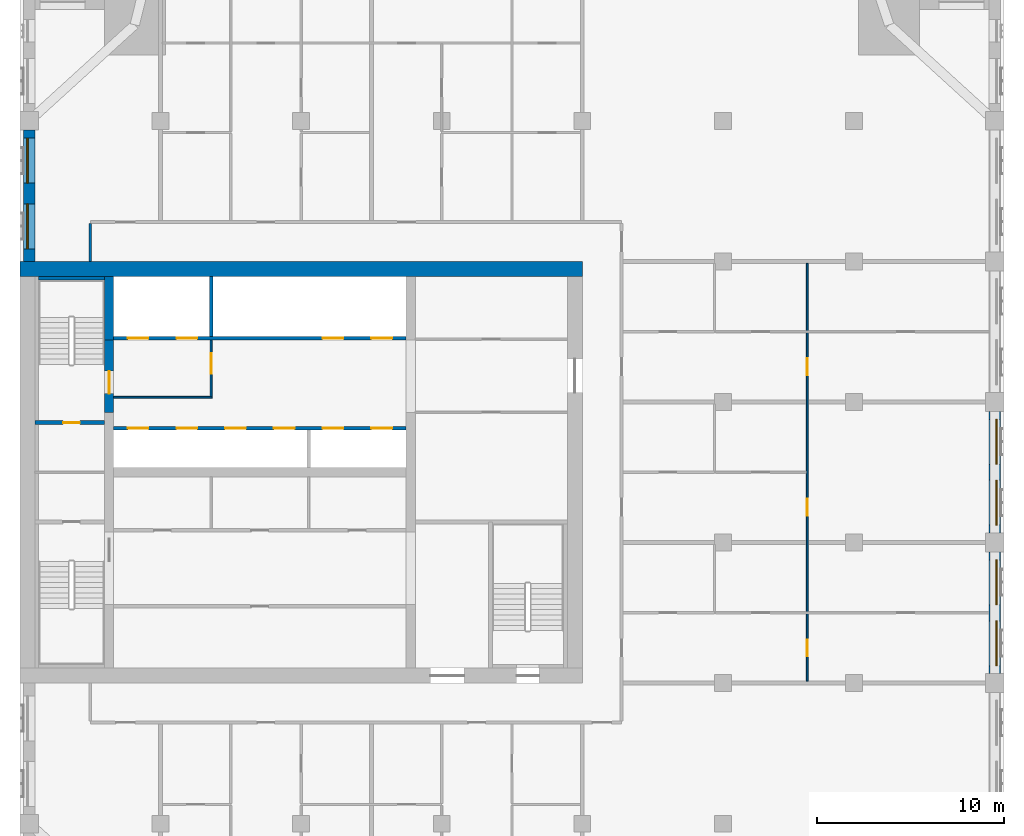
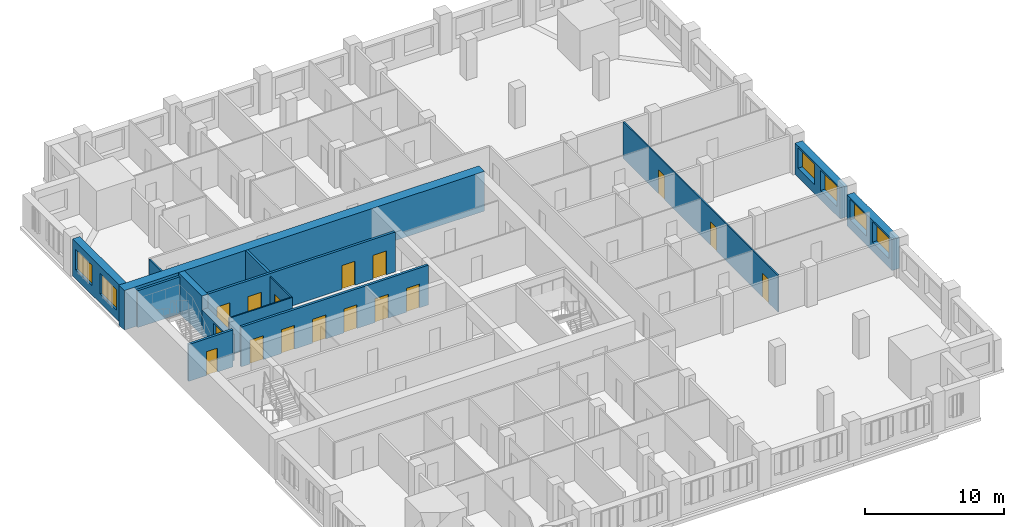
# One storey, part 9 of 14: 16 doors, 15 walls, 6 windows, 22 openings.
"""IFC4 building model written with IfcOpenShell, lengths in metres."""

import ifcopenshell
import ifcopenshell.guid

model = None  # the IFC model being written
_history = None  # IfcOwnerHistory: only IFC2X3 demands one
_inside = {}  # id of a spatial element -> (the spatial element, [elements in it])
_under = {}  # id of a project, library or spatial element -> (it, [spatial elements below it])
_declared = {}  # id of a project -> (the project, [libraries it declares])
_typed = {}  # id of a type object -> (the type object, [elements of that type])
_made_of = {}  # id of a material, layer set ... -> (it, [elements and type objects made of it])


def new_model(schema):
    """Start an empty IFC model of exactly this schema.

    Asked for "IFC4X3", IfcOpenShell would pick the latest addendum, in which some entities
    have other attributes; the version numbers below select the first issue.
    IFC2X3 requires an IfcOwnerHistory on every rooted entity: one is made here for all.
    """
    global model, _history
    if schema == "IFC4X3":
        model = ifcopenshell.file(schema_version=(4, 3, 0, 0))
    else:
        model = ifcopenshell.file(schema=schema)
    _inside.clear()
    _under.clear()
    _declared.clear()
    _typed.clear()
    _made_of.clear()
    _history = None
    if model.schema == "IFC2X3":
        org = make("IfcOrganization", Name="unknown")
        user = make(
            "IfcPersonAndOrganization",
            ThePerson=make("IfcPerson", FamilyName="unknown"),
            TheOrganization=org,
        )
        app = make(
            "IfcApplication",
            ApplicationDeveloper=org,
            Version="unknown",
            ApplicationFullName="unknown",
            ApplicationIdentifier="unknown",
        )
        _history = make(
            "IfcOwnerHistory",
            OwningUser=user,
            OwningApplication=app,
            ChangeAction="ADDED",
            CreationDate=0,
        )
    return model


def make(cls, **values):
    """One entity of the class cls with the attributes given. An attribute that is None is left unset."""
    return model.create_entity(
        cls, **{name: value for name, value in values.items() if value is not None}
    )


def rooted(cls, **values):
    """An entity with a GlobalId (a new one), such as an element, a storey or a relation."""
    return make(cls, GlobalId=ifcopenshell.guid.new(), OwnerHistory=_history, **values)


def si_unit(unit_type, name, prefix=None):
    """IfcSIUnit, for example si_unit("LENGTHUNIT", "METRE", prefix="MILLI")."""
    return make("IfcSIUnit", UnitType=unit_type, Prefix=prefix, Name=name)


def assignment(units):
    """IfcUnitAssignment: the units of a project."""
    return None if units is None else make("IfcUnitAssignment", Units=units)


def point(xyz):
    """IfcCartesianPoint."""
    return None if xyz is None else make("IfcCartesianPoint", Coordinates=xyz)


def direction(xyz):
    """IfcDirection."""
    return None if xyz is None else make("IfcDirection", DirectionRatios=xyz)


def frame(location, z_axis=None, x_axis=None):
    """IfcAxis2Placement3D, a coordinate frame: its origin and axes. An axis left out is left unset."""
    return make(
        "IfcAxis2Placement3D",
        Location=point(location),
        Axis=direction(z_axis),
        RefDirection=direction(x_axis),
    )


def frame_2d(location, x_axis=None):
    """IfcAxis2Placement2D, a coordinate frame in the plane: its origin and x axis."""
    return make(
        "IfcAxis2Placement2D", Location=point(location), RefDirection=direction(x_axis)
    )


def origin():
    """The frame at (0, 0, 0) with its axes left unset."""
    return frame((0.0, 0.0, 0.0))


def place(relative_to, where):
    """IfcLocalPlacement: puts the frame where relative to a parent placement (None: the world)."""
    return make(
        "IfcLocalPlacement", PlacementRelTo=relative_to, RelativePlacement=where
    )


def context(
    kind, dimensions, precision=None, world=None, true_north=None, identifier=None
):
    """IfcGeometricRepresentationContext, for example the 3D "Model" context."""
    return make(
        "IfcGeometricRepresentationContext",
        ContextIdentifier=identifier,
        ContextType=kind,
        CoordinateSpaceDimension=dimensions,
        Precision=precision,
        WorldCoordinateSystem=world,
        TrueNorth=true_north,
    )


def subcontext(parent, identifier, kind, view, scale=None):
    """IfcGeometricRepresentationSubContext, for example "Body" below "Model"."""
    return make(
        "IfcGeometricRepresentationSubContext",
        ContextIdentifier=identifier,
        ContextType=kind,
        ParentContext=parent,
        TargetScale=scale,
        TargetView=view,
    )


def project(units=None, contexts=None):
    """IfcProject with its units and contexts."""
    return rooted(
        "IfcProject",
        Name="project",
        RepresentationContexts=contexts,
        UnitsInContext=assignment(units),
    )


def spatial(cls, under=None, at=None, **own):
    """A site, building, storey or space (cls), placed at a placement, below another one or the project."""
    s = rooted(cls, ObjectPlacement=at, **own)
    if under is not None:
        _under.setdefault(under.id(), (under, []))[1].append(s)
    return s


def profile(cls, at=None, kind="AREA", **sizes):
    """A parametric profile (cls). Its sizes go by their IFC names, for example OverallWidth=200.0."""
    return make(cls, ProfileType=kind, Position=at, **sizes)


def rectangle(**sizes):
    """IfcRectangleProfileDef."""
    return profile("IfcRectangleProfileDef", **sizes)


def extrude(swept, where, along, depth):
    """IfcExtrudedAreaSolid: the profile swept, set in the frame where, extruded along a direction by depth."""
    return make(
        "IfcExtrudedAreaSolid",
        SweptArea=swept,
        Position=where,
        ExtrudedDirection=direction(along),
        Depth=depth,
    )


def shape(context_of_items, identifier, shape_type, items):
    """IfcShapeRepresentation: the items that make up one representation, for example the "Body"."""
    return make(
        "IfcShapeRepresentation",
        ContextOfItems=context_of_items,
        RepresentationIdentifier=identifier,
        RepresentationType=shape_type,
        Items=items,
    )


def material(Name=None, Category=None):
    """IfcMaterial."""
    return make("IfcMaterial", Name=Name, Category=Category)


def layer(
    of_material, thickness, ventilated=None, Name=None, Category=None, Priority=None
):
    """IfcMaterialLayer: one layer of a wall or slab, of a material (None: an air gap)."""
    return make(
        "IfcMaterialLayer",
        Material=of_material,
        LayerThickness=thickness,
        IsVentilated=ventilated,
        Name=Name,
        Category=Category,
        Priority=Priority,
    )


def layer_set(layers, Name=None):
    """IfcMaterialLayerSet."""
    return make("IfcMaterialLayerSet", MaterialLayers=layers, LayerSetName=Name)


def made_of(thing, what):
    """Note that an element or type object is made of a material, layer set ...; save() writes the relation."""
    if what is not None:
        _made_of.setdefault(what.id(), (what, []))[1].append(thing)
    return thing


def type_object(cls, material=None, **own):
    """A type object (cls), such as IfcWallType, which elements share."""
    return made_of(rooted(cls, **own), material)


def element(
    cls,
    number,
    at=None,
    inside=None,
    cuts=None,
    type_object=None,
    material=None,
    context=None,
    identifier="Body",
    shape_type=None,
    held_by="IfcProductDefinitionShape",
    body=None,
    shapes=None,
    **own,
):
    """One element of the class cls, such as IfcWall. Its Tag is "e" and its number.

    at: its placement. inside: the storey or other place that contains it. cuts: it is an
    opening in that element (IfcRelVoidsElement). A single representation is given by context,
    identifier, shape_type and body (its items); several are given by shapes. held_by: the class
    of the entity that holds the representations. save() writes the other relations.
    """
    e = rooted(cls, Tag="e%d" % number, ObjectPlacement=at, **own)
    if body is not None:
        shapes = [shape(context, identifier, shape_type, body)]
    if shapes is not None:
        e.Representation = make(held_by, Representations=shapes)
    if inside is not None:
        _inside.setdefault(inside.id(), (inside, []))[1].append(e)
    if cuts is not None:
        rooted(
            "IfcRelVoidsElement", RelatingBuildingElement=cuts, RelatedOpeningElement=e
        )
    if type_object is not None:
        _typed.setdefault(type_object.id(), (type_object, []))[1].append(e)
    return made_of(e, material)


def fill(opening, filler):
    """IfcRelFillsElement: the door or window that sits in an opening."""
    return rooted(
        "IfcRelFillsElement",
        RelatingOpeningElement=opening,
        RelatedBuildingElement=filler,
    )


def aggregate(whole, parts):
    """IfcRelAggregates: a whole, such as a stair, and the parts it consists of."""
    return rooted("IfcRelAggregates", RelatingObject=whole, RelatedObjects=parts)


def save(model, path):
    """Write the relations noted so far, then the file.

    IfcRelAggregates (storeys below a building ...), IfcRelContainedInSpatialStructure (elements
    in a storey), IfcRelDefinesByType, IfcRelAssociatesMaterial and IfcRelDeclares: one each for
    every whole, place, type object, material and project.
    """
    for whole, parts in _under.values():
        aggregate(whole, parts)
    for where, things in _inside.values():
        rooted(
            "IfcRelContainedInSpatialStructure",
            RelatedElements=things,
            RelatingStructure=where,
        )
    for kind, things in _typed.values():
        rooted("IfcRelDefinesByType", RelatedObjects=things, RelatingType=kind)
    for what, things in _made_of.values():
        rooted("IfcRelAssociatesMaterial", RelatedObjects=things, RelatingMaterial=what)
    for by, libraries in _declared.values():
        rooted("IfcRelDeclares", RelatingContext=by, RelatedDefinitions=libraries)
    model.write(path)


model = new_model("IFC4")

# Units and contexts
model_context = context("Model", 3, precision=1e-05, world=origin(), true_north=direction((0.0, 1.0)))
body_context = subcontext(model_context, "Body", "Model", "MODEL_VIEW")
ifc_project = project(units=[si_unit("LENGTHUNIT", "METRE"), si_unit("AREAUNIT", "SQUARE_METRE"), si_unit("VOLUMEUNIT", "CUBIC_METRE"), si_unit("PLANEANGLEUNIT", "RADIAN"), si_unit("MASSUNIT", "GRAM", prefix="KILO")], contexts=[model_context])

# Site, building, storey
site_placement = place(None, origin())
site = spatial("IfcSite", under=ifc_project, at=site_placement, CompositionType="ELEMENT")
building_placement = place(site_placement, origin())
building = spatial("IfcBuilding", under=site, at=building_placement, Name="Tamorin Gate", CompositionType="ELEMENT")
storey_placement = place(building_placement, frame((0.0, 0.0, 196.699951171875)))
storey = spatial("IfcBuildingStorey", under=building, at=storey_placement, Name="L48", CompositionType="ELEMENT", Elevation=196.699951171875)

# Wall, openings, windows
ifc_material_1 = material(Name="Precast concrete C40/50", Category="concrete")
ifc_layer_1 = layer(ifc_material_1, 0.60009765625)
ifc_layer_set_1 = layer_set([ifc_layer_1], Name="Precast concrete C40/50")
wall_type_1 = type_object("IfcWallType", Name="Board-marked concrete facade panel 600", PredefinedType="SOLIDWALL", material=ifc_layer_set_1)
wall_1_placement = place(storey_placement, frame((82.0, 60.5, 0.0), z_axis=(0.0, 0.0, 1.0), x_axis=(0.0, 1.0, 0.0)))
wall_1 = element("IfcWall", 1, at=wall_1_placement, inside=storey, type_object=wall_type_1, Name="Facade panel", PredefinedType="SOLIDWALL", context=body_context, shape_type="SweptSolid", body=[
    extrude(rectangle(XDim=6.5, YDim=0.60009765625, at=frame_2d((3.25, 0.0))), origin(), (0.0, 0.0, 1.0), 2.75),
])
opening_1_placement = place(wall_1_placement, frame((0.425048828125, 0.0, 0.800048828125)))
opening_1 = element("IfcOpeningElement", 2, at=opening_1_placement, cuts=wall_1, Name="Opening WN1", PredefinedType="OPENING", context=body_context, shape_type="SweptSolid", body=[
    extrude(rectangle(XDim=2.39990234375, YDim=1.800048828125, at=frame_2d((1.199951171875, 0.89990234375))), frame((0.0, 0.31005859375, 0.0), z_axis=(0.0, -1.0, 0.0), x_axis=(1.0, 0.0, 0.0)), (0.0, 0.0, 1.0), 0.6201171875),
])
opening_2_placement = place(wall_1_placement, frame((3.675048828125, 0.0, 0.800048828125)))
opening_2 = element("IfcOpeningElement", 3, at=opening_2_placement, cuts=wall_1, Name="Opening WN1", PredefinedType="OPENING", context=body_context, shape_type="SweptSolid", body=[
    extrude(rectangle(XDim=2.39990234375, YDim=1.800048828125, at=frame_2d((1.199951171875, 0.89990234375))), frame((0.0, 0.31005859375, 0.0), z_axis=(0.0, -1.0, 0.0), x_axis=(1.0, 0.0, 0.0)), (0.0, 0.0, 1.0), 0.6201171875),
])
ifc_material_2 = material(Name="Clear glass in aluminium frame", Category="aluminium")
window_type = type_object("IfcWindowType", Name="Deep-set window 2400x1800", PartitioningType="SINGLE_PANEL", PredefinedType="WINDOW", material=ifc_material_2)
window_1_placement = place(opening_1_placement, origin())
window_1 = element("IfcWindow", 4, at=window_1_placement, inside=storey, type_object=window_type, Name="Deep-set window", OverallHeight=1.800048828125, OverallWidth=2.39990234375, PartitioningType="SINGLE_PANEL", PredefinedType="WINDOW", context=body_context, shape_type="SweptSolid", body=[
    extrude(rectangle(XDim=2.39990234375, YDim=1.800048828125, at=frame_2d((1.199951171875, 0.89990234375))), frame((0.0, -0.070068359375, 0.0), z_axis=(0.0, -1.0, 0.0), x_axis=(1.0, 0.0, 0.0)), (0.0, 0.0, 1.0), 0.06005859375),
])
fill(opening_1, window_1)
window_2_placement = place(opening_2_placement, origin())
window_2 = element("IfcWindow", 5, at=window_2_placement, inside=storey, type_object=window_type, Name="Deep-set window", OverallHeight=1.800048828125, OverallWidth=2.39990234375, PartitioningType="SINGLE_PANEL", PredefinedType="WINDOW", context=body_context, shape_type="SweptSolid", body=[
    extrude(rectangle(XDim=2.39990234375, YDim=1.800048828125, at=frame_2d((1.199951171875, 0.89990234375))), frame((0.0, -0.070068359375, 0.0), z_axis=(0.0, -1.0, 0.0), x_axis=(1.0, 0.0, 0.0)), (0.0, 0.0, 1.0), 0.06005859375),
])
fill(opening_2, window_2)

wall_2_placement = place(storey_placement, frame((82.0, 68.0, 0.0), z_axis=(0.0, 0.0, 1.0), x_axis=(0.0, 1.0, 0.0)))
wall_2 = element("IfcWall", 6, at=wall_2_placement, inside=storey, type_object=wall_type_1, Name="Facade panel", PredefinedType="SOLIDWALL", context=body_context, shape_type="SweptSolid", body=[
    extrude(rectangle(XDim=6.5, YDim=0.60009765625, at=frame_2d((3.25, 0.0))), origin(), (0.0, 0.0, 1.0), 2.75),
])
opening_3_placement = place(wall_2_placement, frame((0.425048828125, 0.0, 0.800048828125)))
opening_3 = element("IfcOpeningElement", 7, at=opening_3_placement, cuts=wall_2, Name="Opening WN1", PredefinedType="OPENING", context=body_context, shape_type="SweptSolid", body=[
    extrude(rectangle(XDim=2.39990234375, YDim=1.800048828125, at=frame_2d((1.199951171875, 0.89990234375))), frame((0.0, 0.31005859375, 0.0), z_axis=(0.0, -1.0, 0.0), x_axis=(1.0, 0.0, 0.0)), (0.0, 0.0, 1.0), 0.6201171875),
])
opening_4_placement = place(wall_2_placement, frame((3.675048828125, 0.0, 0.800048828125)))
opening_4 = element("IfcOpeningElement", 8, at=opening_4_placement, cuts=wall_2, Name="Opening WN1", PredefinedType="OPENING", context=body_context, shape_type="SweptSolid", body=[
    extrude(rectangle(XDim=2.39990234375, YDim=1.800048828125, at=frame_2d((1.199951171875, 0.89990234375))), frame((0.0, 0.31005859375, 0.0), z_axis=(0.0, -1.0, 0.0), x_axis=(1.0, 0.0, 0.0)), (0.0, 0.0, 1.0), 0.6201171875),
])
window_3_placement = place(opening_3_placement, origin())
window_3 = element("IfcWindow", 9, at=window_3_placement, inside=storey, type_object=window_type, Name="Deep-set window", OverallHeight=1.800048828125, OverallWidth=2.39990234375, PartitioningType="SINGLE_PANEL", PredefinedType="WINDOW", context=body_context, shape_type="SweptSolid", body=[
    extrude(rectangle(XDim=2.39990234375, YDim=1.800048828125, at=frame_2d((1.199951171875, 0.89990234375))), frame((0.0, -0.070068359375, 0.0), z_axis=(0.0, -1.0, 0.0), x_axis=(1.0, 0.0, 0.0)), (0.0, 0.0, 1.0), 0.06005859375),
])
fill(opening_3, window_3)
window_4_placement = place(opening_4_placement, origin())
window_4 = element("IfcWindow", 10, at=window_4_placement, inside=storey, type_object=window_type, Name="Deep-set window", OverallHeight=1.800048828125, OverallWidth=2.39990234375, PartitioningType="SINGLE_PANEL", PredefinedType="WINDOW", context=body_context, shape_type="SweptSolid", body=[
    extrude(rectangle(XDim=2.39990234375, YDim=1.800048828125, at=frame_2d((1.199951171875, 0.89990234375))), frame((0.0, -0.070068359375, 0.0), z_axis=(0.0, -1.0, 0.0), x_axis=(1.0, 0.0, 0.0)), (0.0, 0.0, 1.0), 0.06005859375),
])
fill(opening_4, window_4)

wall_3_placement = place(storey_placement, frame((30.5, 89.5, 0.0), z_axis=(0.0, 0.0, 1.0), x_axis=(0.0, -1.0, 0.0)))
wall_3 = element("IfcWall", 11, at=wall_3_placement, inside=storey, type_object=wall_type_1, Name="Facade panel", PredefinedType="SOLIDWALL", context=body_context, shape_type="SweptSolid", body=[
    extrude(rectangle(XDim=7.0, YDim=0.60009765625, at=frame_2d((3.5, 0.0))), origin(), (0.0, 0.0, 1.0), 3.25),
])
opening_5_placement = place(wall_3_placement, frame((3.925048828125, 0.0, 0.800048828125)))
opening_5 = element("IfcOpeningElement", 12, at=opening_5_placement, cuts=wall_3, Name="Opening WN1", PredefinedType="OPENING", context=body_context, shape_type="SweptSolid", body=[
    extrude(rectangle(XDim=2.39990234375, YDim=1.800048828125, at=frame_2d((1.199951171875, 0.89990234375))), frame((0.0, 0.31005859375, 0.0), z_axis=(0.0, -1.0, 0.0), x_axis=(1.0, 0.0, 0.0)), (0.0, 0.0, 1.0), 0.6201171875),
])
opening_6_placement = place(wall_3_placement, frame((0.425048828125, 0.0, 0.800048828125)))
opening_6 = element("IfcOpeningElement", 13, at=opening_6_placement, cuts=wall_3, Name="Opening WN1", PredefinedType="OPENING", context=body_context, shape_type="SweptSolid", body=[
    extrude(rectangle(XDim=2.39990234375, YDim=1.800048828125, at=frame_2d((1.199951171875, 0.89990234375))), frame((0.0, 0.31005859375, 0.0), z_axis=(0.0, -1.0, 0.0), x_axis=(1.0, 0.0, 0.0)), (0.0, 0.0, 1.0), 0.6201171875),
])
window_5_placement = place(opening_5_placement, origin())
window_5 = element("IfcWindow", 14, at=window_5_placement, inside=storey, type_object=window_type, Name="Deep-set window", OverallHeight=1.800048828125, OverallWidth=2.39990234375, PartitioningType="SINGLE_PANEL", PredefinedType="WINDOW", context=body_context, shape_type="SweptSolid", body=[
    extrude(rectangle(XDim=2.39990234375, YDim=1.800048828125, at=frame_2d((1.199951171875, 0.89990234375))), frame((0.0, -0.070068359375, 0.0), z_axis=(0.0, -1.0, 0.0), x_axis=(1.0, 0.0, 0.0)), (0.0, 0.0, 1.0), 0.06005859375),
])
fill(opening_5, window_5)
window_6_placement = place(opening_6_placement, origin())
window_6 = element("IfcWindow", 15, at=window_6_placement, inside=storey, type_object=window_type, Name="Deep-set window", OverallHeight=1.800048828125, OverallWidth=2.39990234375, PartitioningType="SINGLE_PANEL", PredefinedType="WINDOW", context=body_context, shape_type="SweptSolid", body=[
    extrude(rectangle(XDim=2.39990234375, YDim=1.800048828125, at=frame_2d((1.199951171875, 0.89990234375))), frame((0.0, -0.070068359375, 0.0), z_axis=(0.0, -1.0, 0.0), x_axis=(1.0, 0.0, 0.0)), (0.0, 0.0, 1.0), 0.06005859375),
])
fill(opening_6, window_6)

# Wall
ifc_material_3 = material(Name="Gypsum board partition")
ifc_layer_2 = layer(ifc_material_3, 0.14990234375)
ifc_layer_set_2 = layer_set([ifc_layer_2], Name="Corridor wall 150")
wall_type_2 = type_object("IfcWallType", Name="Corridor wall 150", PredefinedType="PARTITIONING", material=ifc_layer_set_2)
wall_4_placement = place(storey_placement, frame((33.75, 82.5, 0.0), z_axis=(0.0, 0.0, 1.0), x_axis=(0.0, 1.0, 0.0)))
element("IfcWall", 16, at=wall_4_placement, inside=storey, type_object=wall_type_2, Name="Corridor wall 150", PredefinedType="PARTITIONING", context=body_context, shape_type="SweptSolid", body=[
    extrude(rectangle(XDim=2.02490234375, YDim=0.14990234375, at=frame_2d((1.012451171875, 0.0))), origin(), (0.0, 0.0, 1.0), 3.25),
])

# Wall, openings, doors
ifc_material_4 = material(Name="Concrete C32/40", Category="concrete")
ifc_layer_3 = layer(ifc_material_4, 0.199951171875)
ifc_layer_set_3 = layer_set([ifc_layer_3], Name="Lift lobby face wall 200 EI 120")
wall_type_3 = type_object("IfcWallType", Name="Lift lobby face wall 200 EI 120", PredefinedType="SOLIDWALL", material=ifc_layer_set_3)
wall_5_placement = place(storey_placement, frame((35.0, 73.60009765625, 0.0), z_axis=(0.0, 0.0, 1.0), x_axis=(1.0, 0.0, 0.0)))
wall_5 = element("IfcWall", 17, at=wall_5_placement, inside=storey, type_object=wall_type_3, Name="Lift lobby face wall", PredefinedType="SOLIDWALL", context=body_context, shape_type="SweptSolid", body=[
    extrude(rectangle(XDim=15.60009765625, YDim=0.199951171875, at=frame_2d((7.800048828125, 0.0))), origin(), (0.0, 0.0, 1.0), 3.5),
])
opening_7_placement = place(wall_5_placement, frame((0.75, 0.0, 0.0)))
opening_7 = element("IfcOpeningElement", 18, at=opening_7_placement, cuts=wall_5, Name="Opening LD11", PredefinedType="OPENING", context=body_context, shape_type="SweptSolid", body=[
    extrude(rectangle(XDim=1.10009765625, YDim=2.10009765625, at=frame_2d((0.550048828125, 1.050048828125))), frame((0.0, 0.10986328125, 0.0), z_axis=(0.0, -1.0, 0.0), x_axis=(1.0, 0.0, 0.0)), (0.0, 0.0, 1.0), 0.219970703125),
])
opening_8_placement = place(wall_5_placement, frame((3.35009765625, 0.0, 0.0)))
opening_8 = element("IfcOpeningElement", 19, at=opening_8_placement, cuts=wall_5, Name="Opening LD12", PredefinedType="OPENING", context=body_context, shape_type="SweptSolid", body=[
    extrude(rectangle(XDim=1.10009765625, YDim=2.10009765625, at=frame_2d((0.550048828125, 1.050048828125))), frame((0.0, 0.10986328125, 0.0), z_axis=(0.0, -1.0, 0.0), x_axis=(1.0, 0.0, 0.0)), (0.0, 0.0, 1.0), 0.219970703125),
])
opening_9_placement = place(wall_5_placement, frame((5.949951171875, 0.0, 0.0)))
opening_9 = element("IfcOpeningElement", 20, at=opening_9_placement, cuts=wall_5, Name="Opening LD13", PredefinedType="OPENING", context=body_context, shape_type="SweptSolid", body=[
    extrude(rectangle(XDim=1.10009765625, YDim=2.10009765625, at=frame_2d((0.550048828125, 1.050048828125))), frame((0.0, 0.10986328125, 0.0), z_axis=(0.0, -1.0, 0.0), x_axis=(1.0, 0.0, 0.0)), (0.0, 0.0, 1.0), 0.219970703125),
])
opening_10_placement = place(wall_5_placement, frame((8.550048828125, 0.0, 0.0)))
opening_10 = element("IfcOpeningElement", 21, at=opening_10_placement, cuts=wall_5, Name="Opening LD14", PredefinedType="OPENING", context=body_context, shape_type="SweptSolid", body=[
    extrude(rectangle(XDim=1.10009765625, YDim=2.10009765625, at=frame_2d((0.550048828125, 1.050048828125))), frame((0.0, 0.10986328125, 0.0), z_axis=(0.0, -1.0, 0.0), x_axis=(1.0, 0.0, 0.0)), (0.0, 0.0, 1.0), 0.219970703125),
])
opening_11_placement = place(wall_5_placement, frame((11.14990234375, 0.0, 0.0)))
opening_11 = element("IfcOpeningElement", 22, at=opening_11_placement, cuts=wall_5, Name="Opening LD15", PredefinedType="OPENING", context=body_context, shape_type="SweptSolid", body=[
    extrude(rectangle(XDim=1.10009765625, YDim=2.10009765625, at=frame_2d((0.550048828125, 1.050048828125))), frame((0.0, 0.10986328125, 0.0), z_axis=(0.0, -1.0, 0.0), x_axis=(1.0, 0.0, 0.0)), (0.0, 0.0, 1.0), 0.219970703125),
])
opening_12_placement = place(wall_5_placement, frame((13.75, 0.0, 0.0)))
opening_12 = element("IfcOpeningElement", 23, at=opening_12_placement, cuts=wall_5, Name="Opening LD16", PredefinedType="OPENING", context=body_context, shape_type="SweptSolid", body=[
    extrude(rectangle(XDim=1.10009765625, YDim=2.10009765625, at=frame_2d((0.550048828125, 1.050048828125))), frame((0.0, 0.10986328125, 0.0), z_axis=(0.0, -1.0, 0.0), x_axis=(1.0, 0.0, 0.0)), (0.0, 0.0, 1.0), 0.219970703125),
])
ifc_material_5 = material(Name="Stainless steel sliding door", Category="steel")
door_type_1 = type_object("IfcDoorType", Name="Lift landing door 1100 x 2100 E 90", OperationType="DOUBLE_DOOR_SLIDING", PredefinedType="DOOR", material=ifc_material_5)
door_1_placement = place(opening_7_placement, origin())
door_1 = element("IfcDoor", 24, at=door_1_placement, inside=storey, type_object=door_type_1, Name="HR1 landing door", OperationType="DOUBLE_DOOR_SLIDING", OverallHeight=2.10009765625, OverallWidth=1.10009765625, PredefinedType="DOOR", context=body_context, shape_type="SweptSolid", body=[
    extrude(rectangle(XDim=1.10009765625, YDim=2.10009765625, at=frame_2d((0.550048828125, 1.050048828125))), frame((0.0, 0.02490234375, 0.0), z_axis=(0.0, -1.0, 0.0), x_axis=(1.0, 0.0, 0.0)), (0.0, 0.0, 1.0), 0.050048828125),
])
fill(opening_7, door_1)
door_2_placement = place(opening_8_placement, origin())
door_2 = element("IfcDoor", 25, at=door_2_placement, inside=storey, type_object=door_type_1, Name="HR2 landing door", OperationType="DOUBLE_DOOR_SLIDING", OverallHeight=2.10009765625, OverallWidth=1.10009765625, PredefinedType="DOOR", context=body_context, shape_type="SweptSolid", body=[
    extrude(rectangle(XDim=1.10009765625, YDim=2.10009765625, at=frame_2d((0.550048828125, 1.050048828125))), frame((0.0, 0.02490234375, 0.0), z_axis=(0.0, -1.0, 0.0), x_axis=(1.0, 0.0, 0.0)), (0.0, 0.0, 1.0), 0.050048828125),
])
fill(opening_8, door_2)
door_3_placement = place(opening_9_placement, origin())
door_3 = element("IfcDoor", 26, at=door_3_placement, inside=storey, type_object=door_type_1, Name="HR3 landing door", OperationType="DOUBLE_DOOR_SLIDING", OverallHeight=2.10009765625, OverallWidth=1.10009765625, PredefinedType="DOOR", context=body_context, shape_type="SweptSolid", body=[
    extrude(rectangle(XDim=1.10009765625, YDim=2.10009765625, at=frame_2d((0.550048828125, 1.050048828125))), frame((0.0, 0.02490234375, 0.0), z_axis=(0.0, -1.0, 0.0), x_axis=(1.0, 0.0, 0.0)), (0.0, 0.0, 1.0), 0.050048828125),
])
fill(opening_9, door_3)
door_4_placement = place(opening_10_placement, origin())
door_4 = element("IfcDoor", 27, at=door_4_placement, inside=storey, type_object=door_type_1, Name="HR4 landing door", OperationType="DOUBLE_DOOR_SLIDING", OverallHeight=2.10009765625, OverallWidth=1.10009765625, PredefinedType="DOOR", context=body_context, shape_type="SweptSolid", body=[
    extrude(rectangle(XDim=1.10009765625, YDim=2.10009765625, at=frame_2d((0.550048828125, 1.050048828125))), frame((0.0, 0.02490234375, 0.0), z_axis=(0.0, -1.0, 0.0), x_axis=(1.0, 0.0, 0.0)), (0.0, 0.0, 1.0), 0.050048828125),
])
fill(opening_10, door_4)
door_5_placement = place(opening_11_placement, origin())
door_5 = element("IfcDoor", 28, at=door_5_placement, inside=storey, type_object=door_type_1, Name="HR5 landing door", OperationType="DOUBLE_DOOR_SLIDING", OverallHeight=2.10009765625, OverallWidth=1.10009765625, PredefinedType="DOOR", context=body_context, shape_type="SweptSolid", body=[
    extrude(rectangle(XDim=1.10009765625, YDim=2.10009765625, at=frame_2d((0.550048828125, 1.050048828125))), frame((0.0, 0.02490234375, 0.0), z_axis=(0.0, -1.0, 0.0), x_axis=(1.0, 0.0, 0.0)), (0.0, 0.0, 1.0), 0.050048828125),
])
fill(opening_11, door_5)
door_6_placement = place(opening_12_placement, origin())
door_6 = element("IfcDoor", 29, at=door_6_placement, inside=storey, type_object=door_type_1, Name="HR6 landing door", OperationType="DOUBLE_DOOR_SLIDING", OverallHeight=2.10009765625, OverallWidth=1.10009765625, PredefinedType="DOOR", context=body_context, shape_type="SweptSolid", body=[
    extrude(rectangle(XDim=1.10009765625, YDim=2.10009765625, at=frame_2d((0.550048828125, 1.050048828125))), frame((0.0, 0.02490234375, 0.0), z_axis=(0.0, -1.0, 0.0), x_axis=(1.0, 0.0, 0.0)), (0.0, 0.0, 1.0), 0.050048828125),
])
fill(opening_12, door_6)

wall_6_placement = place(storey_placement, frame((35.0, 78.39990234375, 0.0), z_axis=(0.0, 0.0, 1.0), x_axis=(1.0, 0.0, 0.0)))
wall_6 = element("IfcWall", 30, at=wall_6_placement, inside=storey, type_object=wall_type_3, Name="Lift lobby face wall", PredefinedType="SOLIDWALL", context=body_context, shape_type="SweptSolid", body=[
    extrude(rectangle(XDim=15.60009765625, YDim=0.199951171875, at=frame_2d((7.800048828125, 0.0))), origin(), (0.0, 0.0, 1.0), 3.5),
])
opening_13_placement = place(wall_6_placement, frame((0.75, 0.0, 0.0)))
opening_13 = element("IfcOpeningElement", 31, at=opening_13_placement, cuts=wall_6, Name="Opening LD17", PredefinedType="OPENING", context=body_context, shape_type="SweptSolid", body=[
    extrude(rectangle(XDim=1.10009765625, YDim=2.10009765625, at=frame_2d((0.550048828125, 1.050048828125))), frame((0.0, 0.10986328125, 0.0), z_axis=(0.0, -1.0, 0.0), x_axis=(1.0, 0.0, 0.0)), (0.0, 0.0, 1.0), 0.219970703125),
])
opening_14_placement = place(wall_6_placement, frame((3.35009765625, 0.0, 0.0)))
opening_14 = element("IfcOpeningElement", 32, at=opening_14_placement, cuts=wall_6, Name="Opening LD18", PredefinedType="OPENING", context=body_context, shape_type="SweptSolid", body=[
    extrude(rectangle(XDim=1.10009765625, YDim=2.10009765625, at=frame_2d((0.550048828125, 1.050048828125))), frame((0.0, 0.10986328125, 0.0), z_axis=(0.0, -1.0, 0.0), x_axis=(1.0, 0.0, 0.0)), (0.0, 0.0, 1.0), 0.219970703125),
])
opening_15_placement = place(wall_6_placement, frame((11.14990234375, 0.0, 0.0)))
opening_15 = element("IfcOpeningElement", 33, at=opening_15_placement, cuts=wall_6, Name="Opening LD21", PredefinedType="OPENING", context=body_context, shape_type="SweptSolid", body=[
    extrude(rectangle(XDim=1.10009765625, YDim=2.10009765625, at=frame_2d((0.550048828125, 1.050048828125))), frame((0.0, 0.10986328125, 0.0), z_axis=(0.0, -1.0, 0.0), x_axis=(1.0, 0.0, 0.0)), (0.0, 0.0, 1.0), 0.219970703125),
])
opening_16_placement = place(wall_6_placement, frame((13.75, 0.0, 0.0)))
opening_16 = element("IfcOpeningElement", 34, at=opening_16_placement, cuts=wall_6, Name="Opening LD22", PredefinedType="OPENING", context=body_context, shape_type="SweptSolid", body=[
    extrude(rectangle(XDim=1.10009765625, YDim=2.10009765625, at=frame_2d((0.550048828125, 1.050048828125))), frame((0.0, 0.10986328125, 0.0), z_axis=(0.0, -1.0, 0.0), x_axis=(1.0, 0.0, 0.0)), (0.0, 0.0, 1.0), 0.219970703125),
])
door_7_placement = place(opening_13_placement, origin())
door_7 = element("IfcDoor", 35, at=door_7_placement, inside=storey, type_object=door_type_1, Name="FF1 landing door", OperationType="DOUBLE_DOOR_SLIDING", OverallHeight=2.10009765625, OverallWidth=1.10009765625, PredefinedType="DOOR", context=body_context, shape_type="SweptSolid", body=[
    extrude(rectangle(XDim=1.10009765625, YDim=2.10009765625, at=frame_2d((0.550048828125, 1.050048828125))), frame((0.0, 0.02490234375, 0.0), z_axis=(0.0, -1.0, 0.0), x_axis=(1.0, 0.0, 0.0)), (0.0, 0.0, 1.0), 0.050048828125),
])
fill(opening_13, door_7)
door_8_placement = place(opening_14_placement, origin())
door_8 = element("IfcDoor", 36, at=door_8_placement, inside=storey, type_object=door_type_1, Name="FF2 landing door", OperationType="DOUBLE_DOOR_SLIDING", OverallHeight=2.10009765625, OverallWidth=1.10009765625, PredefinedType="DOOR", context=body_context, shape_type="SweptSolid", body=[
    extrude(rectangle(XDim=1.10009765625, YDim=2.10009765625, at=frame_2d((0.550048828125, 1.050048828125))), frame((0.0, 0.02490234375, 0.0), z_axis=(0.0, -1.0, 0.0), x_axis=(1.0, 0.0, 0.0)), (0.0, 0.0, 1.0), 0.050048828125),
])
fill(opening_14, door_8)
door_9_placement = place(opening_15_placement, origin())
door_9 = element("IfcDoor", 37, at=door_9_placement, inside=storey, type_object=door_type_1, Name="SV1 landing door", OperationType="DOUBLE_DOOR_SLIDING", OverallHeight=2.10009765625, OverallWidth=1.10009765625, PredefinedType="DOOR", context=body_context, shape_type="SweptSolid", body=[
    extrude(rectangle(XDim=1.10009765625, YDim=2.10009765625, at=frame_2d((0.550048828125, 1.050048828125))), frame((0.0, 0.02490234375, 0.0), z_axis=(0.0, -1.0, 0.0), x_axis=(1.0, 0.0, 0.0)), (0.0, 0.0, 1.0), 0.050048828125),
])
fill(opening_15, door_9)
door_10_placement = place(opening_16_placement, origin())
door_10 = element("IfcDoor", 38, at=door_10_placement, inside=storey, type_object=door_type_1, Name="SV2 landing door", OperationType="DOUBLE_DOOR_SLIDING", OverallHeight=2.10009765625, OverallWidth=1.10009765625, PredefinedType="DOOR", context=body_context, shape_type="SweptSolid", body=[
    extrude(rectangle(XDim=1.10009765625, YDim=2.10009765625, at=frame_2d((0.550048828125, 1.050048828125))), frame((0.0, 0.02490234375, 0.0), z_axis=(0.0, -1.0, 0.0), x_axis=(1.0, 0.0, 0.0)), (0.0, 0.0, 1.0), 0.050048828125),
])
fill(opening_16, door_10)

# Walls
ifc_layer_4 = layer(ifc_material_4, 0.199951171875)
ifc_layer_set_4 = layer_set([ifc_layer_4], Name="Lift shaft wall 200 EI 120")
wall_type_4 = type_object("IfcWallType", Name="Lift shaft wall 200 EI 120", PredefinedType="SOLIDWALL", material=ifc_layer_set_4)
wall_7_placement = place(storey_placement, frame((40.199951171875, 78.5, 0.0), z_axis=(0.0, 0.0, 1.0), x_axis=(0.0, 1.0, 0.0)))
element("IfcWall", 39, at=wall_7_placement, inside=storey, type_object=wall_type_4, Name="Lift shaft wall", PredefinedType="SOLIDWALL", context=body_context, shape_type="SweptSolid", body=[
    extrude(rectangle(XDim=3.199951171875, YDim=0.199951171875, at=frame_2d((1.60009765625, 0.0))), origin(), (0.0, 0.0, 1.0), 3.5),
])
ifc_material_6 = material(Name="Fire-rated gypsum board partition")
ifc_layer_5 = layer(ifc_material_6, 0.10009765625)
ifc_layer_set_5 = layer_set([ifc_layer_5], Name="Lobby wall 100 EI 60")
wall_type_5 = type_object("IfcWallType", Name="Lobby wall 100 EI 60", PredefinedType="PARTITIONING", material=ifc_layer_set_5)
wall_8_placement = place(storey_placement, frame((35.0, 75.25, 0.0), z_axis=(0.0, 0.0, 1.0), x_axis=(1.0, 0.0, 0.0)))
element("IfcWall", 40, at=wall_8_placement, inside=storey, type_object=wall_type_5, Name="Firefighting lobby wall", PredefinedType="PARTITIONING", context=body_context, shape_type="SweptSolid", body=[
    extrude(rectangle(XDim=5.25, YDim=0.10009765625, at=frame_2d((2.625, 0.0))), origin(), (0.0, 0.0, 1.0), 3.25),
])

# Wall, opening, door
wall_9_placement = place(storey_placement, frame((40.199951171875, 75.300048828125, 0.0), z_axis=(0.0, 0.0, 1.0), x_axis=(0.0, 1.0, 0.0)))
wall_9 = element("IfcWall", 41, at=wall_9_placement, inside=storey, type_object=wall_type_5, Name="Firefighting lobby wall", PredefinedType="PARTITIONING", context=body_context, shape_type="SweptSolid", body=[
    extrude(rectangle(XDim=3.0, YDim=0.10009765625, at=frame_2d((1.5, 0.0))), origin(), (0.0, 0.0, 1.0), 3.25),
])
opening_17_placement = place(wall_9_placement, frame((1.199951171875, 0.0, 0.0)))
opening_17 = element("IfcOpeningElement", 42, at=opening_17_placement, cuts=wall_9, Name="Opening DF1", PredefinedType="OPENING", context=body_context, shape_type="SweptSolid", body=[
    extrude(rectangle(XDim=1.10009765625, YDim=2.10009765625, at=frame_2d((0.550048828125, 1.050048828125))), frame((0.0, 0.06005859375, 0.0), z_axis=(0.0, -1.0, 0.0), x_axis=(1.0, 0.0, 0.0)), (0.0, 0.0, 1.0), 0.1201171875),
])
ifc_material_7 = material(Name="Steel fire door", Category="steel")
door_type_2 = type_object("IfcDoorType", Name="Firefighting lobby door 1100 x 2100 EI 90", OperationType="SINGLE_SWING_LEFT", PredefinedType="DOOR", material=ifc_material_7)
door_11_placement = place(opening_17_placement, origin())
door_11 = element("IfcDoor", 43, at=door_11_placement, inside=storey, type_object=door_type_2, Name="Firefighting lobby door", OperationType="SINGLE_SWING_LEFT", OverallHeight=2.10009765625, OverallWidth=1.10009765625, PredefinedType="DOOR", context=body_context, shape_type="SweptSolid", body=[
    extrude(rectangle(XDim=1.10009765625, YDim=2.10009765625, at=frame_2d((0.550048828125, 1.050048828125))), frame((0.0, 0.02490234375, 0.0), z_axis=(0.0, -1.0, 0.0), x_axis=(1.0, 0.0, 0.0)), (0.0, 0.0, 1.0), 0.050048828125),
])
fill(opening_17, door_11)

# Walls
ifc_material_8 = material(Name="Concrete C60/75", Category="concrete")
ifc_layer_6 = layer(ifc_material_8, 0.5)
ifc_layer_set_6 = layer_set([ifc_layer_6], Name="RC core internal wall 500 C60/75")
wall_type_6 = type_object("IfcWallType", Name="RC core internal wall 500 C60/75", PredefinedType="SHEAR", material=ifc_layer_set_6)
wall_10_placement = place(storey_placement, frame((34.75, 78.300048828125, 0.0), z_axis=(0.0, 0.0, 1.0), x_axis=(0.0, 1.0, 0.0)))
element("IfcWall", 44, at=wall_10_placement, inside=storey, type_object=wall_type_6, Name="Core cross wall L48", PredefinedType="SHEAR", context=body_context, shape_type="SweptSolid", body=[
    extrude(rectangle(XDim=3.39990234375, YDim=0.5, at=frame_2d((1.699951171875, 0.0))), origin(), (0.0, 0.0, 1.0), 3.5),
])
ifc_layer_7 = layer(ifc_material_8, 0.800048828125)
ifc_layer_set_7 = layer_set([ifc_layer_7], Name="RC core wall 800 C60/75")
wall_type_7 = type_object("IfcWallType", Name="RC core wall 800 C60/75", PredefinedType="SHEAR", material=ifc_layer_set_7)
wall_11_placement = place(storey_placement, frame((30.0, 82.10009765625, 0.0), z_axis=(0.0, 0.0, 1.0), x_axis=(1.0, 0.0, 0.0)))
element("IfcWall", 45, at=wall_11_placement, inside=storey, type_object=wall_type_7, Name="Core wall L48", PredefinedType="SHEAR", context=body_context, shape_type="SweptSolid", body=[
    extrude(rectangle(XDim=30.0, YDim=0.800048828125, at=frame_2d((15.0, 0.0))), origin(), (0.0, 0.0, 1.0), 3.5),
])

# Wall, openings, doors
ifc_layer_8 = layer(ifc_material_3, 0.10009765625)
ifc_layer_set_8 = layer_set([ifc_layer_8], Name="Room partition 100")
wall_type_8 = type_object("IfcWallType", Name="Room partition 100", PredefinedType="PARTITIONING", material=ifc_layer_set_8)
wall_12_placement = place(storey_placement, frame((72.0, 60.10009765625, 0.0), z_axis=(0.0, 0.0, 1.0), x_axis=(0.0, 1.0, 0.0)))
wall_12 = element("IfcWall", 46, at=wall_12_placement, inside=storey, type_object=wall_type_8, Name="Room partition 100", PredefinedType="PARTITIONING", context=body_context, shape_type="SweptSolid", body=[
    extrude(rectangle(XDim=22.2998046875, YDim=0.10009765625, at=frame_2d((11.14990234375, 0.0))), origin(), (0.0, 0.0, 1.0), 3.25),
])
opening_18_placement = place(wall_12_placement, frame((1.324951171875, 0.0, 0.0)))
opening_18 = element("IfcOpeningElement", 47, at=opening_18_placement, cuts=wall_12, Name="Opening DR2037", PredefinedType="OPENING", context=body_context, shape_type="SweptSolid", body=[
    extrude(rectangle(XDim=0.89990234375, YDim=2.10009765625, at=frame_2d((0.449951171875, 1.050048828125))), frame((0.0, 0.06005859375, 0.0), z_axis=(0.0, -1.0, 0.0), x_axis=(1.0, 0.0, 0.0)), (0.0, 0.0, 1.0), 0.1201171875),
])
opening_19_placement = place(wall_12_placement, frame((8.824951171875, 0.0, 0.0)))
opening_19 = element("IfcOpeningElement", 48, at=opening_19_placement, cuts=wall_12, Name="Opening DR2042", PredefinedType="OPENING", context=body_context, shape_type="SweptSolid", body=[
    extrude(rectangle(XDim=0.89990234375, YDim=2.10009765625, at=frame_2d((0.449951171875, 1.050048828125))), frame((0.0, 0.06005859375, 0.0), z_axis=(0.0, -1.0, 0.0), x_axis=(1.0, 0.0, 0.0)), (0.0, 0.0, 1.0), 0.1201171875),
])
opening_20_placement = place(wall_12_placement, frame((16.324951171875, 0.0, 0.0)))
opening_20 = element("IfcOpeningElement", 49, at=opening_20_placement, cuts=wall_12, Name="Opening DR2046", PredefinedType="OPENING", context=body_context, shape_type="SweptSolid", body=[
    extrude(rectangle(XDim=0.89990234375, YDim=2.10009765625, at=frame_2d((0.449951171875, 1.050048828125))), frame((0.0, 0.06005859375, 0.0), z_axis=(0.0, -1.0, 0.0), x_axis=(1.0, 0.0, 0.0)), (0.0, 0.0, 1.0), 0.1201171875),
])
ifc_material_9 = material(Name="Timber door leaf", Category="wood")
door_type_3 = type_object("IfcDoorType", Name="Door 900 x 2100", OperationType="NOTDEFINED", PredefinedType="DOOR", material=ifc_material_9)
door_12_placement = place(opening_18_placement, origin())
door_12 = element("IfcDoor", 50, at=door_12_placement, inside=storey, type_object=door_type_3, Name="Door DR2037", OperationType="SINGLE_SWING_LEFT", OverallHeight=2.10009765625, OverallWidth=0.89990234375, PredefinedType="DOOR", context=body_context, shape_type="SweptSolid", body=[
    extrude(rectangle(XDim=0.89990234375, YDim=2.10009765625, at=frame_2d((0.449951171875, 1.050048828125))), frame((0.0, 0.02490234375, 0.0), z_axis=(0.0, -1.0, 0.0), x_axis=(1.0, 0.0, 0.0)), (0.0, 0.0, 1.0), 0.050048828125),
])
fill(opening_18, door_12)
door_13_placement = place(opening_19_placement, origin())
door_13 = element("IfcDoor", 51, at=door_13_placement, inside=storey, type_object=door_type_3, Name="Door DR2042", OperationType="SINGLE_SWING_LEFT", OverallHeight=2.10009765625, OverallWidth=0.89990234375, PredefinedType="DOOR", context=body_context, shape_type="SweptSolid", body=[
    extrude(rectangle(XDim=0.89990234375, YDim=2.10009765625, at=frame_2d((0.449951171875, 1.050048828125))), frame((0.0, 0.02490234375, 0.0), z_axis=(0.0, -1.0, 0.0), x_axis=(1.0, 0.0, 0.0)), (0.0, 0.0, 1.0), 0.050048828125),
])
fill(opening_19, door_13)
door_14_placement = place(opening_20_placement, origin())
door_14 = element("IfcDoor", 52, at=door_14_placement, inside=storey, type_object=door_type_3, Name="Door DR2046", OperationType="SINGLE_SWING_LEFT", OverallHeight=2.10009765625, OverallWidth=0.89990234375, PredefinedType="DOOR", context=body_context, shape_type="SweptSolid", body=[
    extrude(rectangle(XDim=0.89990234375, YDim=2.10009765625, at=frame_2d((0.449951171875, 1.050048828125))), frame((0.0, 0.02490234375, 0.0), z_axis=(0.0, -1.0, 0.0), x_axis=(1.0, 0.0, 0.0)), (0.0, 0.0, 1.0), 0.050048828125),
])
fill(opening_20, door_14)

# Wall, opening, door
ifc_material_10 = material(Name="Concrete C40/50", Category="concrete")
ifc_layer_9 = layer(ifc_material_10, 0.199951171875)
ifc_layer_set_9 = layer_set([ifc_layer_9], Name="Stair enclosure wall 200 EI 120 C40/50")
wall_type_9 = type_object("IfcWallType", Name="Stair enclosure wall 200 EI 120 C40/50", PredefinedType="SOLIDWALL", material=ifc_layer_set_9)
wall_13_placement = place(storey_placement, frame((30.800048828125, 73.89990234375, 0.0), z_axis=(0.0, 0.0, 1.0), x_axis=(1.0, 0.0, 0.0)))
wall_13 = element("IfcWall", 53, at=wall_13_placement, inside=storey, type_object=wall_type_9, Name="Stair enclosure wall", PredefinedType="SOLIDWALL", context=body_context, shape_type="SweptSolid", body=[
    extrude(rectangle(XDim=3.699951171875, YDim=0.199951171875, at=frame_2d((1.85009765625, 0.0))), origin(), (0.0, 0.0, 1.0), 3.25),
])
opening_21_placement = place(wall_13_placement, frame((1.5, 0.0, 0.0)))
opening_21 = element("IfcOpeningElement", 54, at=opening_21_placement, cuts=wall_13, Name="Opening DR1", PredefinedType="OPENING", context=body_context, shape_type="SweptSolid", body=[
    extrude(rectangle(XDim=0.89990234375, YDim=2.10009765625, at=frame_2d((0.449951171875, 1.050048828125))), frame((0.0, 0.10986328125, 0.0), z_axis=(0.0, -1.0, 0.0), x_axis=(1.0, 0.0, 0.0)), (0.0, 0.0, 1.0), 0.219970703125),
])
door_type_4 = type_object("IfcDoorType", Name="Riser access door 900 x 2100 EI 120", OperationType="SINGLE_SWING_LEFT", PredefinedType="DOOR", material=ifc_material_7)
door_15_placement = place(opening_21_placement, origin())
door_15 = element("IfcDoor", 55, at=door_15_placement, inside=storey, type_object=door_type_4, Name="Communications riser door", OperationType="SINGLE_SWING_RIGHT", OverallHeight=2.10009765625, OverallWidth=0.89990234375, PredefinedType="DOOR", context=body_context, shape_type="SweptSolid", body=[
    extrude(rectangle(XDim=0.89990234375, YDim=2.10009765625, at=frame_2d((0.449951171875, 1.050048828125))), frame((0.0, 0.02490234375, 0.0), z_axis=(0.0, -1.0, 0.0), x_axis=(1.0, 0.0, 0.0)), (0.0, 0.0, 1.0), 0.050048828125),
])
fill(opening_21, door_15)

# Wall
ifc_layer_10 = layer(ifc_material_8, 0.199951171875)
ifc_layer_set_10 = layer_set([ifc_layer_10], Name="Stair lining wall 200 EI 120 C60/75")
wall_type_10 = type_object("IfcWallType", Name="Stair lining wall 200 EI 120 C60/75", PredefinedType="SOLIDWALL", material=ifc_layer_set_10)
wall_14_placement = place(storey_placement, frame((31.0, 81.60009765625, 0.0), z_axis=(0.0, 0.0, 1.0), x_axis=(1.0, 0.0, 0.0)))
element("IfcWall", 56, at=wall_14_placement, inside=storey, type_object=wall_type_10, Name="Stair lining wall", PredefinedType="SOLIDWALL", context=body_context, shape_type="SweptSolid", body=[
    extrude(rectangle(XDim=3.5, YDim=0.199951171875, at=frame_2d((1.75, 0.0))), origin(), (0.0, 0.0, 1.0), 3.25),
])

# Wall, opening, door
ifc_layer_11 = layer(ifc_material_4, 0.5)
ifc_layer_set_11 = layer_set([ifc_layer_11], Name="Stair lobby infill wall 500 EI 120")
wall_type_11 = type_object("IfcWallType", Name="Stair lobby infill wall 500 EI 120", PredefinedType="SOLIDWALL", material=ifc_layer_set_11)
wall_15_placement = place(storey_placement, frame((34.75, 74.449951171875, 0.0), z_axis=(0.0, 0.0, 1.0), x_axis=(0.0, 1.0, 0.0)))
wall_15 = element("IfcWall", 57, at=wall_15_placement, inside=storey, type_object=wall_type_11, Name="Stair lobby infill wall", PredefinedType="SOLIDWALL", context=body_context, shape_type="SweptSolid", body=[
    extrude(rectangle(XDim=3.85009765625, YDim=0.5, at=frame_2d((1.925048828125, 0.0))), origin(), (0.0, 0.0, 1.0), 2.300048828125),
])
opening_22_placement = place(wall_15_placement, frame((1.0, 0.0, 0.0)))
opening_22 = element("IfcOpeningElement", 58, at=opening_22_placement, cuts=wall_15, Name="Opening DS1", PredefinedType="OPENING", context=body_context, shape_type="SweptSolid", body=[
    extrude(rectangle(XDim=1.199951171875, YDim=2.10009765625, at=frame_2d((0.60009765625, 1.050048828125))), frame((0.0, 0.260009765625, 0.0), z_axis=(0.0, -1.0, 0.0), x_axis=(1.0, 0.0, 0.0)), (0.0, 0.0, 1.0), 0.52001953125),
])
door_type_5 = type_object("IfcDoorType", Name="Stair door 1200 x 2100 EI 90", OperationType="SINGLE_SWING_LEFT", PredefinedType="DOOR", material=ifc_material_7)
door_16_placement = place(opening_22_placement, origin())
door_16 = element("IfcDoor", 59, at=door_16_placement, inside=storey, type_object=door_type_5, Name="ST2 door", OperationType="SINGLE_SWING_RIGHT", OverallHeight=2.10009765625, OverallWidth=1.199951171875, PredefinedType="DOOR", context=body_context, shape_type="SweptSolid", body=[
    extrude(rectangle(XDim=1.199951171875, YDim=2.10009765625, at=frame_2d((0.60009765625, 1.050048828125))), frame((0.0, 0.02490234375, 0.0), z_axis=(0.0, -1.0, 0.0), x_axis=(1.0, 0.0, 0.0)), (0.0, 0.0, 1.0), 0.050048828125),
])
fill(opening_22, door_16)

save(model, "model.ifc")
